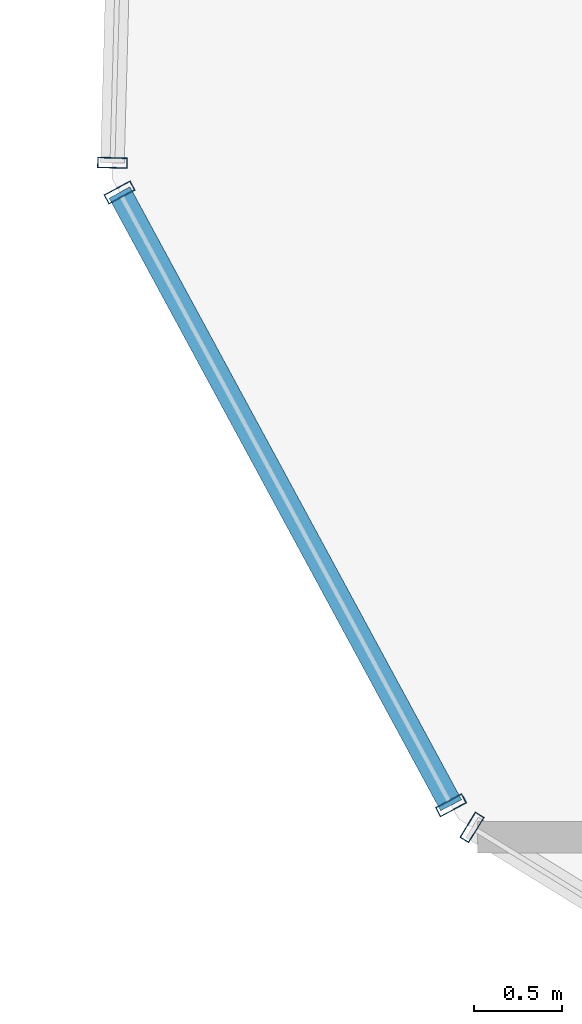
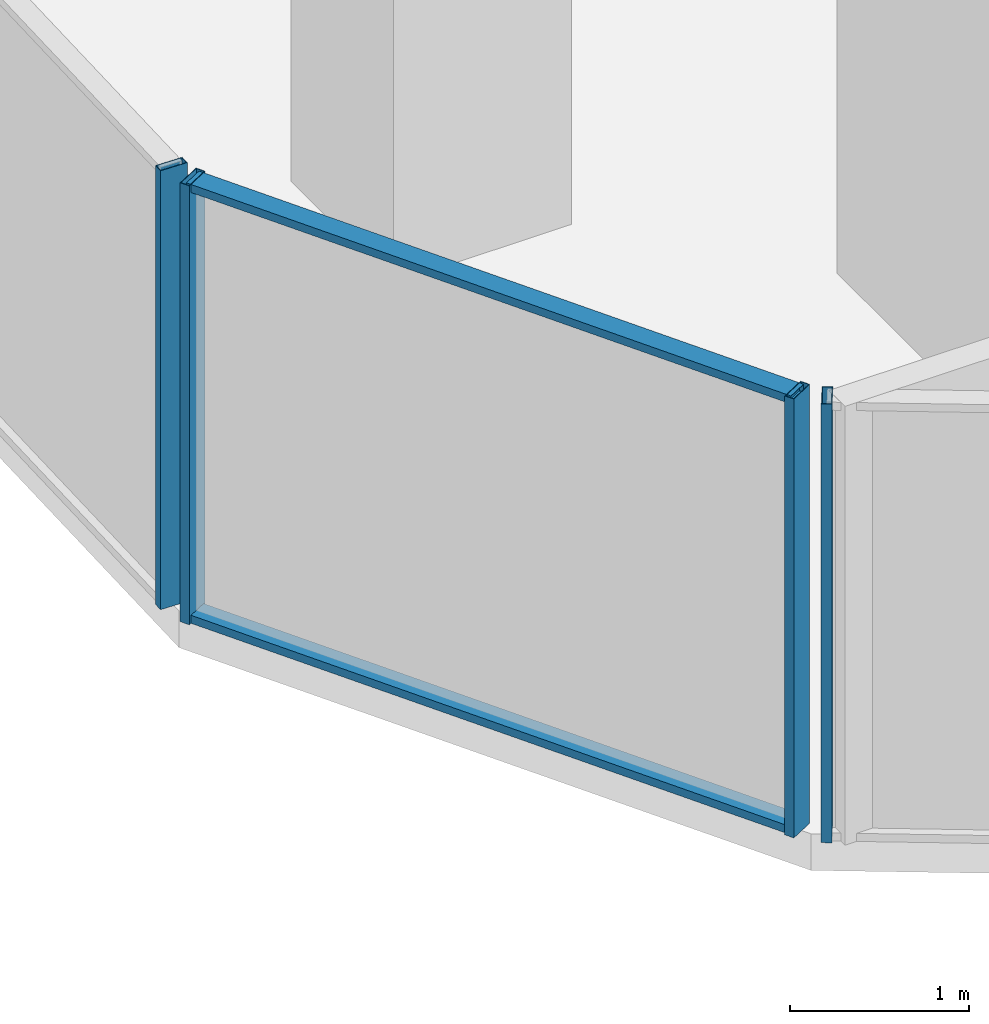
# One storey, part 4 of 30: 6 members, 3 elements without a shape of their own.
"""IFC4 building model written with IfcOpenShell, lengths in metres."""

from ifc_helpers import new_model, si_unit, direction, frame, origin, origin_2d, place, context, subcontext, project, spatial, hollow_rectangle, extrude, source, transform, mapped, material, layer, layer_set, material_profile, profile_set, type_object, element, aggregate, save


model = new_model("IFC4")

# Units and contexts
model_context = context("Model", 3, precision=1e-05, world=origin(), true_north=direction((0.0, 1.0)))
body_context = subcontext(model_context, "Body", "Model", "MODEL_VIEW")
ifc_project = project(units=[si_unit("LENGTHUNIT", "METRE"), si_unit("AREAUNIT", "SQUARE_METRE"), si_unit("VOLUMEUNIT", "CUBIC_METRE"), si_unit("PLANEANGLEUNIT", "RADIAN"), si_unit("MASSUNIT", "GRAM", prefix="KILO")], contexts=[model_context])

# Site, building, storey
site_placement = place(None, origin())
site = spatial("IfcSite", under=ifc_project, at=site_placement, CompositionType="ELEMENT")
building_placement = place(site_placement, origin())
building = spatial("IfcBuilding", under=site, at=building_placement, Name="Veraguas Prism Commons", CompositionType="ELEMENT")
storey_placement = place(building_placement, frame((0.0, 0.0, 123.0)))
storey = spatial("IfcBuildingStorey", under=building, at=storey_placement, Name="L34", CompositionType="ELEMENT", Elevation=123.0)

# Curtain wall, member
ifc_material = material(Name="Anodised aluminium EN AW-6063 T6", Category="aluminium")
ifc_layer = layer(ifc_material, 0.169921875, Name="Unitised Flush Curtain Wall Zone 2", Category="aluminium")
ifc_layer_set = layer_set([ifc_layer], Name="Anodised aluminium EN AW-6063 T6")
curtain_wall_type = type_object("IfcCurtainWallType", Name="Unitised Flush Curtain Wall Zone 2", PredefinedType="NOTDEFINED", material=ifc_layer_set)
curtain_wall_1_placement = place(storey_placement, origin())
curtain_wall_1 = element("IfcCurtainWall", 1, at=curtain_wall_1_placement, inside=storey, type_object=curtain_wall_type, Name="Tower Facade Curtain Wall L34-F3", PredefinedType="NOTDEFINED")
ifc_material_profile_1 = material_profile(ifc_material, hollow_rectangle(XDim=0.06005859375, YDim=0.169921875, WallThickness=0.00390625, at=origin_2d()), Name="AL60X170X4")
ifc_profile_set_1 = profile_set([ifc_material_profile_1], Name="Anodised aluminium EN AW-6063 T6")
member_type_1 = type_object("IfcMemberType", Name="Curtain Wall Mullion Lower AL 60x170x4", PredefinedType="MULLION", material=ifc_profile_set_1)
shared_shape_1 = source(origin(), body_context, "Body", "SweptSolid", [
    extrude(hollow_rectangle(XDim=0.06005859375, YDim=0.169921875, WallThickness=0.00390625, at=origin_2d()), origin(), (0.0, 0.0, 1.0), 3.0),
])
member_1_placement = place(storey_placement, frame((4.588134765625, 15.945068359375, 0.0), z_axis=(0.0, 0.0, 1.0), x_axis=(-0.027567473277, -0.999619944988, 0.0)))
member_1 = element("IfcMember", 2, at=member_1_placement, type_object=member_type_1, Name="CW-Z2 Mullion 5", PredefinedType="MULLION", context=body_context, shape_type="MappedRepresentation", body=[
    mapped(shared_shape_1, transform((0.0, 0.0, 0.0), scale=1.0)),
])
aggregate(curtain_wall_1, [member_1])

curtain_wall_2_placement = place(storey_placement, origin())
curtain_wall_2 = element("IfcCurtainWall", 3, at=curtain_wall_2_placement, inside=storey, type_object=curtain_wall_type, Name="Tower Facade Curtain Wall L34-F4", PredefinedType="NOTDEFINED")
member_2_placement = place(storey_placement, frame((6.638916015625, 12.1552734375, 0.0), z_axis=(0.0, 0.0, 1.0), x_axis=(0.851907959812, -0.523691538989, 0.0)))
member_2 = element("IfcMember", 4, at=member_2_placement, type_object=member_type_1, Name="CW-Z2 Mullion 1", PredefinedType="MULLION", context=body_context, shape_type="MappedRepresentation", body=[
    mapped(shared_shape_1, transform((0.0, 0.0, 0.0), scale=1.0)),
])
aggregate(curtain_wall_2, [member_2])

# Curtain wall, members
curtain_wall_3_placement = place(storey_placement, origin())
curtain_wall_3 = element("IfcCurtainWall", 5, at=curtain_wall_3_placement, inside=storey, type_object=curtain_wall_type, Name="Chamfer Curtain Wall L34-C4", PredefinedType="NOTDEFINED")
member_3_placement = place(storey_placement, frame((4.62841796875, 15.77587890625, 0.0), z_axis=(0.0, 0.0, 1.0), x_axis=(0.475920490423, -0.879488309641, 0.0)))
member_3 = element("IfcMember", 6, at=member_3_placement, type_object=member_type_1, Name="CW-Z2 Mullion 1", PredefinedType="MULLION", context=body_context, shape_type="MappedRepresentation", body=[
    mapped(shared_shape_1, transform((0.0, 0.0, 0.0), scale=1.0)),
])
member_4_placement = place(storey_placement, frame((6.519287109375, 12.281494140625, 0.0), z_axis=(0.0, 0.0, 1.0), x_axis=(0.475920490423, -0.879488309641, 0.0)))
member_4 = element("IfcMember", 7, at=member_4_placement, type_object=member_type_1, Name="CW-Z2 Mullion 2", PredefinedType="MULLION", context=body_context, shape_type="MappedRepresentation", body=[
    mapped(shared_shape_1, transform((0.0, 0.0, 0.0), scale=1.0)),
])
ifc_material_profile_2 = material_profile(ifc_material, hollow_rectangle(XDim=0.054931640625, YDim=0.135009765625, WallThickness=0.0029296875, at=origin_2d()), Name="AL55X135X3")
ifc_profile_set_2 = profile_set([ifc_material_profile_2], Name="Anodised aluminium EN AW-6063 T6")
member_type_2 = type_object("IfcMemberType", Name="Curtain Wall Transom Standard AL 55x135x3", PredefinedType="USERDEFINED", material=ifc_profile_set_2)
shared_shape_2 = source(origin(), body_context, "Body", "SweptSolid", [
    extrude(hollow_rectangle(XDim=0.054931640625, YDim=0.135009765625, WallThickness=0.0029296875, at=origin_2d()), origin(), (0.0, 0.0, 1.0), 3.97314453125),
])
member_5_placement = place(storey_placement, frame((4.62841796875, 15.77587890625, 0.027587890625), z_axis=(0.475908978258, -0.879494539161, 0.0), x_axis=(0.0, 0.0, 1.0)))
member_5 = element("IfcMember", 8, at=member_5_placement, type_object=member_type_2, Name="CW-Z2 Transom 1", ObjectType="TRANSOM", PredefinedType="USERDEFINED", context=body_context, shape_type="MappedRepresentation", body=[
    mapped(shared_shape_2, transform((0.0, 0.0, 0.0), scale=1.0)),
])
member_6_placement = place(storey_placement, frame((4.62841796875, 15.77587890625, 2.972412109375), z_axis=(0.475908978258, -0.879494539161, 0.0), x_axis=(0.0, 0.0, 1.0)))
member_6 = element("IfcMember", 9, at=member_6_placement, type_object=member_type_2, Name="CW-Z2 Transom 2", ObjectType="TRANSOM", PredefinedType="USERDEFINED", context=body_context, shape_type="MappedRepresentation", body=[
    mapped(shared_shape_2, transform((0.0, 0.0, 0.0), scale=1.0)),
])
aggregate(curtain_wall_3, [member_3, member_4, member_5, member_6])

save(model, "model.ifc")
